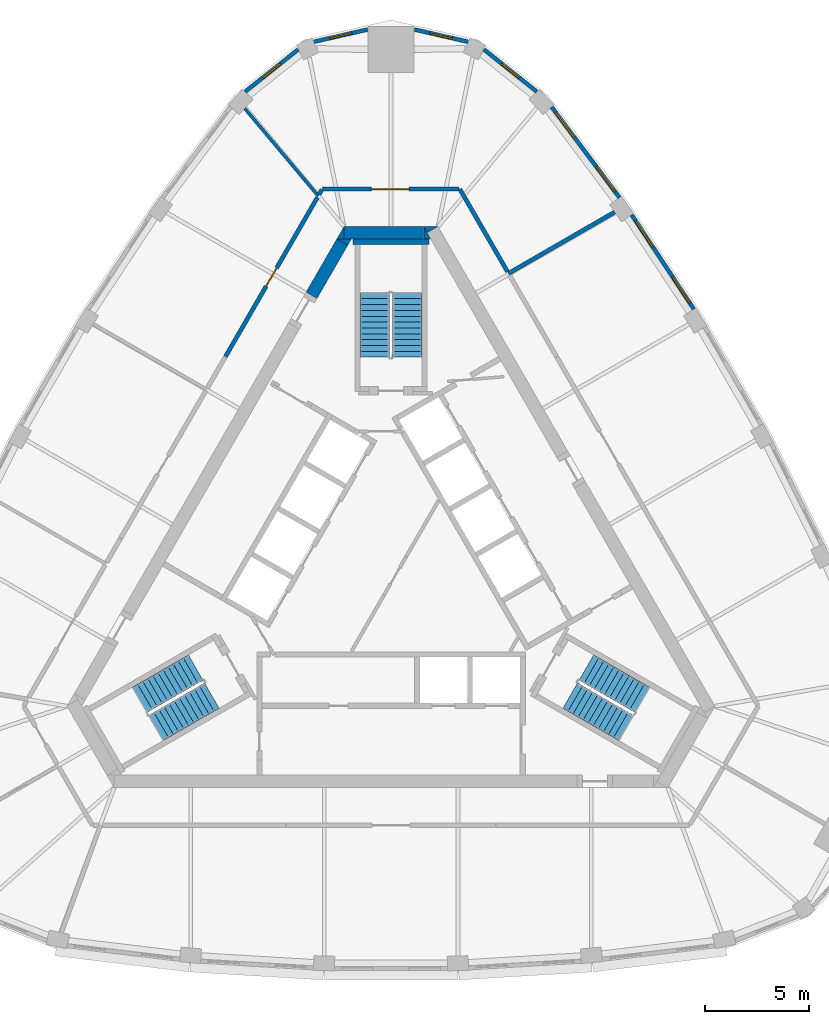
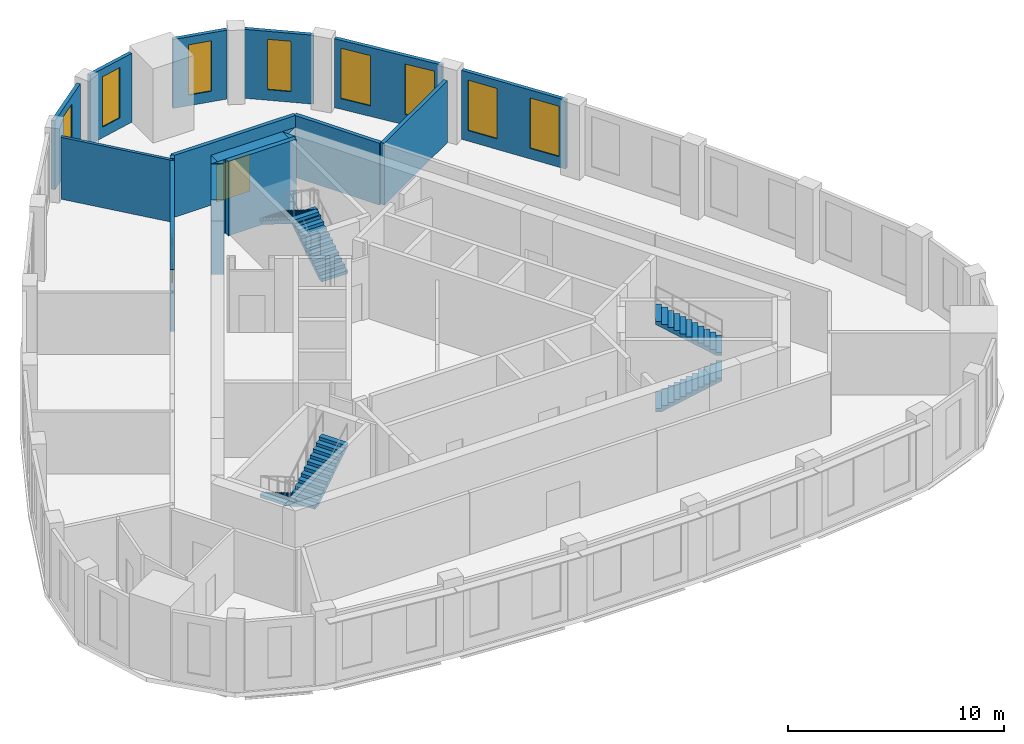
# One storey, part 7 of 8: 19 walls, 8 windows, 6 stair flights, 2 doors, 10 openings, 3 elements without a shape of their own.
"""IFC4 building model written with IfcOpenShell, lengths in metres."""

import ifcopenshell
import ifcopenshell.guid

model = None  # the IFC model being written
_history = None  # IfcOwnerHistory: only IFC2X3 demands one
_inside = {}  # id of a spatial element -> (the spatial element, [elements in it])
_under = {}  # id of a project, library or spatial element -> (it, [spatial elements below it])
_declared = {}  # id of a project -> (the project, [libraries it declares])
_typed = {}  # id of a type object -> (the type object, [elements of that type])
_made_of = {}  # id of a material, layer set ... -> (it, [elements and type objects made of it])


def new_model(schema):
    """Start an empty IFC model of exactly this schema.

    Asked for "IFC4X3", IfcOpenShell would pick the latest addendum, in which some entities
    have other attributes; the version numbers below select the first issue.
    IFC2X3 requires an IfcOwnerHistory on every rooted entity: one is made here for all.
    """
    global model, _history
    if schema == "IFC4X3":
        model = ifcopenshell.file(schema_version=(4, 3, 0, 0))
    else:
        model = ifcopenshell.file(schema=schema)
    _inside.clear()
    _under.clear()
    _declared.clear()
    _typed.clear()
    _made_of.clear()
    _history = None
    if model.schema == "IFC2X3":
        org = make("IfcOrganization", Name="unknown")
        user = make(
            "IfcPersonAndOrganization",
            ThePerson=make("IfcPerson", FamilyName="unknown"),
            TheOrganization=org,
        )
        app = make(
            "IfcApplication",
            ApplicationDeveloper=org,
            Version="unknown",
            ApplicationFullName="unknown",
            ApplicationIdentifier="unknown",
        )
        _history = make(
            "IfcOwnerHistory",
            OwningUser=user,
            OwningApplication=app,
            ChangeAction="ADDED",
            CreationDate=0,
        )
    return model


def make(cls, **values):
    """One entity of the class cls with the attributes given. An attribute that is None is left unset."""
    return model.create_entity(
        cls, **{name: value for name, value in values.items() if value is not None}
    )


def rooted(cls, **values):
    """An entity with a GlobalId (a new one), such as an element, a storey or a relation."""
    return make(cls, GlobalId=ifcopenshell.guid.new(), OwnerHistory=_history, **values)


def si_unit(unit_type, name, prefix=None):
    """IfcSIUnit, for example si_unit("LENGTHUNIT", "METRE", prefix="MILLI")."""
    return make("IfcSIUnit", UnitType=unit_type, Prefix=prefix, Name=name)


def assignment(units):
    """IfcUnitAssignment: the units of a project."""
    return None if units is None else make("IfcUnitAssignment", Units=units)


def point(xyz):
    """IfcCartesianPoint."""
    return None if xyz is None else make("IfcCartesianPoint", Coordinates=xyz)


def direction(xyz):
    """IfcDirection."""
    return None if xyz is None else make("IfcDirection", DirectionRatios=xyz)


def frame(location, z_axis=None, x_axis=None):
    """IfcAxis2Placement3D, a coordinate frame: its origin and axes. An axis left out is left unset."""
    return make(
        "IfcAxis2Placement3D",
        Location=point(location),
        Axis=direction(z_axis),
        RefDirection=direction(x_axis),
    )


def frame_2d(location, x_axis=None):
    """IfcAxis2Placement2D, a coordinate frame in the plane: its origin and x axis."""
    return make(
        "IfcAxis2Placement2D", Location=point(location), RefDirection=direction(x_axis)
    )


def origin():
    """The frame at (0, 0, 0) with its axes left unset."""
    return frame((0.0, 0.0, 0.0))


def place(relative_to, where):
    """IfcLocalPlacement: puts the frame where relative to a parent placement (None: the world)."""
    return make(
        "IfcLocalPlacement", PlacementRelTo=relative_to, RelativePlacement=where
    )


def context(
    kind, dimensions, precision=None, world=None, true_north=None, identifier=None
):
    """IfcGeometricRepresentationContext, for example the 3D "Model" context."""
    return make(
        "IfcGeometricRepresentationContext",
        ContextIdentifier=identifier,
        ContextType=kind,
        CoordinateSpaceDimension=dimensions,
        Precision=precision,
        WorldCoordinateSystem=world,
        TrueNorth=true_north,
    )


def subcontext(parent, identifier, kind, view, scale=None):
    """IfcGeometricRepresentationSubContext, for example "Body" below "Model"."""
    return make(
        "IfcGeometricRepresentationSubContext",
        ContextIdentifier=identifier,
        ContextType=kind,
        ParentContext=parent,
        TargetScale=scale,
        TargetView=view,
    )


def project(units=None, contexts=None):
    """IfcProject with its units and contexts."""
    return rooted(
        "IfcProject",
        Name="project",
        RepresentationContexts=contexts,
        UnitsInContext=assignment(units),
    )


def spatial(cls, under=None, at=None, **own):
    """A site, building, storey or space (cls), placed at a placement, below another one or the project."""
    s = rooted(cls, ObjectPlacement=at, **own)
    if under is not None:
        _under.setdefault(under.id(), (under, []))[1].append(s)
    return s


def polyline(points):
    """IfcPolyline through the points."""
    return make("IfcPolyline", Points=[point(p) for p in points])


def profile(cls, at=None, kind="AREA", **sizes):
    """A parametric profile (cls). Its sizes go by their IFC names, for example OverallWidth=200.0."""
    return make(cls, ProfileType=kind, Position=at, **sizes)


def rectangle(**sizes):
    """IfcRectangleProfileDef."""
    return profile("IfcRectangleProfileDef", **sizes)


def outline(outer, holes=None, kind="AREA"):
    """IfcArbitraryClosedProfileDef: a profile drawn as a closed curve; with holes, ...WithVoids."""
    if holes is None:
        return make("IfcArbitraryClosedProfileDef", ProfileType=kind, OuterCurve=outer)
    return make(
        "IfcArbitraryProfileDefWithVoids",
        ProfileType=kind,
        OuterCurve=outer,
        InnerCurves=holes,
    )


def extrude(swept, where, along, depth):
    """IfcExtrudedAreaSolid: the profile swept, set in the frame where, extruded along a direction by depth."""
    return make(
        "IfcExtrudedAreaSolid",
        SweptArea=swept,
        Position=where,
        ExtrudedDirection=direction(along),
        Depth=depth,
    )


def shape(context_of_items, identifier, shape_type, items):
    """IfcShapeRepresentation: the items that make up one representation, for example the "Body"."""
    return make(
        "IfcShapeRepresentation",
        ContextOfItems=context_of_items,
        RepresentationIdentifier=identifier,
        RepresentationType=shape_type,
        Items=items,
    )


def material(Name=None, Category=None):
    """IfcMaterial."""
    return make("IfcMaterial", Name=Name, Category=Category)


def layer(
    of_material, thickness, ventilated=None, Name=None, Category=None, Priority=None
):
    """IfcMaterialLayer: one layer of a wall or slab, of a material (None: an air gap)."""
    return make(
        "IfcMaterialLayer",
        Material=of_material,
        LayerThickness=thickness,
        IsVentilated=ventilated,
        Name=Name,
        Category=Category,
        Priority=Priority,
    )


def layer_set(layers, Name=None):
    """IfcMaterialLayerSet."""
    return make("IfcMaterialLayerSet", MaterialLayers=layers, LayerSetName=Name)


def made_of(thing, what):
    """Note that an element or type object is made of a material, layer set ...; save() writes the relation."""
    if what is not None:
        _made_of.setdefault(what.id(), (what, []))[1].append(thing)
    return thing


def type_object(cls, material=None, **own):
    """A type object (cls), such as IfcWallType, which elements share."""
    return made_of(rooted(cls, **own), material)


def element(
    cls,
    number,
    at=None,
    inside=None,
    cuts=None,
    type_object=None,
    material=None,
    context=None,
    identifier="Body",
    shape_type=None,
    held_by="IfcProductDefinitionShape",
    body=None,
    shapes=None,
    **own,
):
    """One element of the class cls, such as IfcWall. Its Tag is "e" and its number.

    at: its placement. inside: the storey or other place that contains it. cuts: it is an
    opening in that element (IfcRelVoidsElement). A single representation is given by context,
    identifier, shape_type and body (its items); several are given by shapes. held_by: the class
    of the entity that holds the representations. save() writes the other relations.
    """
    e = rooted(cls, Tag="e%d" % number, ObjectPlacement=at, **own)
    if body is not None:
        shapes = [shape(context, identifier, shape_type, body)]
    if shapes is not None:
        e.Representation = make(held_by, Representations=shapes)
    if inside is not None:
        _inside.setdefault(inside.id(), (inside, []))[1].append(e)
    if cuts is not None:
        rooted(
            "IfcRelVoidsElement", RelatingBuildingElement=cuts, RelatedOpeningElement=e
        )
    if type_object is not None:
        _typed.setdefault(type_object.id(), (type_object, []))[1].append(e)
    return made_of(e, material)


def fill(opening, filler):
    """IfcRelFillsElement: the door or window that sits in an opening."""
    return rooted(
        "IfcRelFillsElement",
        RelatingOpeningElement=opening,
        RelatedBuildingElement=filler,
    )


def aggregate(whole, parts):
    """IfcRelAggregates: a whole, such as a stair, and the parts it consists of."""
    return rooted("IfcRelAggregates", RelatingObject=whole, RelatedObjects=parts)


def save(model, path):
    """Write the relations noted so far, then the file.

    IfcRelAggregates (storeys below a building ...), IfcRelContainedInSpatialStructure (elements
    in a storey), IfcRelDefinesByType, IfcRelAssociatesMaterial and IfcRelDeclares: one each for
    every whole, place, type object, material and project.
    """
    for whole, parts in _under.values():
        aggregate(whole, parts)
    for where, things in _inside.values():
        rooted(
            "IfcRelContainedInSpatialStructure",
            RelatedElements=things,
            RelatingStructure=where,
        )
    for kind, things in _typed.values():
        rooted("IfcRelDefinesByType", RelatedObjects=things, RelatingType=kind)
    for what, things in _made_of.values():
        rooted("IfcRelAssociatesMaterial", RelatedObjects=things, RelatingMaterial=what)
    for by, libraries in _declared.values():
        rooted("IfcRelDeclares", RelatingContext=by, RelatedDefinitions=libraries)
    model.write(path)


model = new_model("IFC4")

# Units and contexts
model_context = context("Model", 3, precision=1e-05, world=origin(), true_north=direction((0.0, 1.0)))
body_context = subcontext(model_context, "Body", "Model", "MODEL_VIEW")
ifc_project = project(units=[si_unit("LENGTHUNIT", "METRE"), si_unit("AREAUNIT", "SQUARE_METRE"), si_unit("VOLUMEUNIT", "CUBIC_METRE"), si_unit("PLANEANGLEUNIT", "RADIAN"), si_unit("MASSUNIT", "GRAM", prefix="KILO")], contexts=[model_context])

# Site, building, storey
site_placement = place(None, origin())
site = spatial("IfcSite", under=ifc_project, at=site_placement, CompositionType="ELEMENT")
building_placement = place(site_placement, origin())
building = spatial("IfcBuilding", under=site, at=building_placement, Name="Mestral Congress Tower", CompositionType="ELEMENT")
storey_placement = place(building_placement, frame((0.0, 0.0, 317.39990234375)))
storey = spatial("IfcBuildingStorey", under=building, at=storey_placement, Name="L74", CompositionType="ELEMENT", Elevation=317.39990234375)

# Walls
ifc_material_1 = material(Name="Concrete C60/75", Category="concrete")
ifc_layer_1 = layer(ifc_material_1, 0.60009765625)
ifc_layer_set_1 = layer_set([ifc_layer_1], Name="Concrete C60/75")
wall_type_1 = type_object("IfcWallType", Name="Core wall RC 600", PredefinedType="SOLIDWALL", material=ifc_layer_set_1)
placement = place(storey_placement, origin())
element("IfcWall", 1, at=placement, inside=storey, type_object=wall_type_1, Name="L74 core wall", PredefinedType="SOLIDWALL", context=body_context, shape_type="SweptSolid", body=[
    extrude(outline(polyline([(1.558837890625, 16.60009765625), (2.23486328125, 16.60009765625), (1.727783203125, 16.307373046875), (1.558837890625, 16.60009765625)])), origin(), (0.0, 0.0, 1.0), 4.2001953125),
])
wall_2_placement = place(storey_placement, frame((-2.258056640625, 16.300048828125, 0.0), z_axis=(0.0, 0.0, 1.0), x_axis=(1.0, 0.0, 0.0)))
element("IfcWall", 2, at=wall_2_placement, inside=storey, type_object=wall_type_1, Name="L74 core wall", PredefinedType="SOLIDWALL", context=body_context, shape_type="SweptSolid", body=[
    extrude(rectangle(XDim=3.8232421875, YDim=0.60009765625, at=frame_2d((1.91162109375, 0.0))), origin(), (0.0, 0.0, 1.0), 4.2001953125),
])
element("IfcWall", 3, at=placement, inside=storey, type_object=wall_type_1, Name="L74 core wall", PredefinedType="SOLIDWALL", context=body_context, shape_type="SweptSolid", body=[
    extrude(outline(polyline([(1.9052734375, 16.0), (1.5673828125, 16.0), (1.5673828125, 16.58544921875), (1.9052734375, 16.0)])), origin(), (0.0, 0.0, 1.0), 4.2001953125),
])
element("IfcWall", 4, at=placement, inside=storey, type_object=wall_type_1, Name="L74 core wall", PredefinedType="SOLIDWALL", context=body_context, shape_type="SweptSolid", body=[
    extrude(outline(polyline([(-2.59814453125, 16.0), (-2.260009765625, 16.58544921875), (-2.260009765625, 16.0), (-2.59814453125, 16.0)])), origin(), (0.0, 0.0, 1.0), 4.2001953125),
])
wall_5_placement = place(storey_placement, frame((-2.335205078125, 15.85546875, 0.0), z_axis=(0.0, 0.0, 1.0), x_axis=(-0.499960127962, -0.866048422692, 0.0)))
element("IfcWall", 5, at=wall_5_placement, inside=storey, type_object=wall_type_1, Name="L74 core wall", PredefinedType="SOLIDWALL", context=body_context, shape_type="SweptSolid", body=[
    extrude(rectangle(XDim=2.934326171875, YDim=0.60009765625, at=frame_2d((1.46728515625, 0.0))), origin(), (0.0, 0.0, 1.0), 4.2001953125),
])
element("IfcWall", 6, at=placement, inside=storey, type_object=wall_type_1, Name="L74 core wall", PredefinedType="SOLIDWALL", context=body_context, shape_type="SweptSolid", body=[
    extrude(outline(polyline([(-1.9052734375, 16.0), (-2.07421875, 15.707275390625), (-2.581298828125, 16.0), (-1.9052734375, 16.0)])), origin(), (0.0, 0.0, 1.0), 4.2001953125),
])

# Wall, openings, windows
ifc_material_2 = material(Name="Precast concrete C40/50 with limestone facing", Category="masonry")
ifc_layer_2 = layer(ifc_material_2, 0.18994140625)
ifc_layer_set_2 = layer_set([ifc_layer_2], Name="Precast concrete C40/50 with limestone facing")
wall_type_2 = type_object("IfcWallType", Name="Facade stone wall 190", PredefinedType="SOLIDWALL", material=ifc_layer_set_2)
wall_7_placement = place(storey_placement, frame((14.49560546875, 12.6533203125, 0.0), z_axis=(0.0, 0.0, 1.0), x_axis=(-0.550744054781, 0.83467417962, 0.0)))
wall_7 = element("IfcWall", 7, at=wall_7_placement, inside=storey, type_object=wall_type_2, Name="Facade wall F1-03", PredefinedType="SOLIDWALL", context=body_context, shape_type="SweptSolid", body=[
    extrude(rectangle(XDim=5.406005859375, YDim=0.18994140625, at=frame_2d((2.703125, 0.0))), origin(), (0.0, 0.0, 1.0), 3.900146484375),
])
opening_1_placement = place(wall_7_placement, frame((0.346435546875, 0.0, 0.60009765625)))
opening_1 = element("IfcOpeningElement", 8, at=opening_1_placement, cuts=wall_7, Name="Opening W6", PredefinedType="OPENING", context=body_context, shape_type="SweptSolid", body=[
    extrude(rectangle(XDim=1.5, YDim=2.85009765625, at=frame_2d((0.75, 1.425048828125))), frame((0.0, 0.10498046875, 0.0), z_axis=(0.0, -1.0, 0.0), x_axis=(1.0, 0.0, 0.0)), (0.0, 0.0, 1.0), 0.2099609375),
])
opening_2_placement = place(wall_7_placement, frame((3.559326171875, 0.0, 0.60009765625)))
opening_2 = element("IfcOpeningElement", 9, at=opening_2_placement, cuts=wall_7, Name="Opening W6", PredefinedType="OPENING", context=body_context, shape_type="SweptSolid", body=[
    extrude(rectangle(XDim=1.5, YDim=2.85009765625, at=frame_2d((0.75, 1.425048828125))), frame((0.0, 0.10498046875, 0.0), z_axis=(0.0, -1.0, 0.0), x_axis=(1.0, 0.0, 0.0)), (0.0, 0.0, 1.0), 0.2099609375),
])
ifc_material_3 = material(Name="Clear low-emissivity double glazing", Category="glass")
window_type_1 = type_object("IfcWindowType", Name="Facade punched window 1500 x 2850 sill 600", PartitioningType="SINGLE_PANEL", PredefinedType="WINDOW", material=ifc_material_3)
window_1_placement = place(opening_1_placement, origin())
window_1 = element("IfcWindow", 10, at=window_1_placement, inside=storey, type_object=window_type_1, Name="Window F1-03a", OverallHeight=2.85009765625, OverallWidth=1.5, PartitioningType="SINGLE_PANEL", PredefinedType="WINDOW", context=body_context, shape_type="SweptSolid", body=[
    extrude(rectangle(XDim=1.5, YDim=2.85009765625, at=frame_2d((0.75, 1.425048828125))), frame((0.0, 0.044921875, 0.0), z_axis=(0.0, -1.0, 0.0), x_axis=(1.0, 0.0, 0.0)), (0.0, 0.0, 1.0), 0.06005859375),
])
fill(opening_1, window_1)
window_2_placement = place(opening_2_placement, origin())
window_2 = element("IfcWindow", 11, at=window_2_placement, inside=storey, type_object=window_type_1, Name="Window F1-03b", OverallHeight=2.85009765625, OverallWidth=1.5, PartitioningType="SINGLE_PANEL", PredefinedType="WINDOW", context=body_context, shape_type="SweptSolid", body=[
    extrude(rectangle(XDim=1.5, YDim=2.85009765625, at=frame_2d((0.75, 1.425048828125))), frame((0.0, 0.044921875, 0.0), z_axis=(0.0, -1.0, 0.0), x_axis=(1.0, 0.0, 0.0)), (0.0, 0.0, 1.0), 0.06005859375),
])
fill(opening_2, window_2)

wall_8_placement = place(storey_placement, frame((10.938232421875, 17.989990234375, 0.0), z_axis=(0.0, 0.0, 1.0), x_axis=(-0.599559865294, 0.800329911929, 0.0)))
wall_8 = element("IfcWall", 12, at=wall_8_placement, inside=storey, type_object=wall_type_2, Name="Facade wall F1-04", PredefinedType="SOLIDWALL", context=body_context, shape_type="SweptSolid", body=[
    extrude(rectangle(XDim=5.4150390625, YDim=0.18994140625, at=frame_2d((2.70751953125, 0.0))), origin(), (0.0, 0.0, 1.0), 3.900146484375),
])
opening_3_placement = place(wall_8_placement, frame((0.357666015625, 0.0, 0.60009765625)))
opening_3 = element("IfcOpeningElement", 13, at=opening_3_placement, cuts=wall_8, Name="Opening W6", PredefinedType="OPENING", context=body_context, shape_type="SweptSolid", body=[
    extrude(rectangle(XDim=1.5, YDim=2.85009765625, at=frame_2d((0.75, 1.425048828125))), frame((0.0, 0.10498046875, 0.0), z_axis=(0.0, -1.0, 0.0), x_axis=(1.0, 0.0, 0.0)), (0.0, 0.0, 1.0), 0.2099609375),
])
opening_4_placement = place(wall_8_placement, frame((3.592529296875, 0.0, 0.60009765625)))
opening_4 = element("IfcOpeningElement", 14, at=opening_4_placement, cuts=wall_8, Name="Opening W6", PredefinedType="OPENING", context=body_context, shape_type="SweptSolid", body=[
    extrude(rectangle(XDim=1.5, YDim=2.85009765625, at=frame_2d((0.75, 1.425048828125))), frame((0.0, 0.10498046875, 0.0), z_axis=(0.0, -1.0, 0.0), x_axis=(1.0, 0.0, 0.0)), (0.0, 0.0, 1.0), 0.2099609375),
])
window_3_placement = place(opening_3_placement, origin())
window_3 = element("IfcWindow", 15, at=window_3_placement, inside=storey, type_object=window_type_1, Name="Window F1-04a", OverallHeight=2.85009765625, OverallWidth=1.5, PartitioningType="SINGLE_PANEL", PredefinedType="WINDOW", context=body_context, shape_type="SweptSolid", body=[
    extrude(rectangle(XDim=1.5, YDim=2.85009765625, at=frame_2d((0.75, 1.425048828125))), frame((0.0, 0.044921875, 0.0), z_axis=(0.0, -1.0, 0.0), x_axis=(1.0, 0.0, 0.0)), (0.0, 0.0, 1.0), 0.06005859375),
])
fill(opening_3, window_3)
window_4_placement = place(opening_4_placement, origin())
window_4 = element("IfcWindow", 16, at=window_4_placement, inside=storey, type_object=window_type_1, Name="Window F1-04b", OverallHeight=2.85009765625, OverallWidth=1.5, PartitioningType="SINGLE_PANEL", PredefinedType="WINDOW", context=body_context, shape_type="SweptSolid", body=[
    extrude(rectangle(XDim=1.5, YDim=2.85009765625, at=frame_2d((0.75, 1.425048828125))), frame((0.0, 0.044921875, 0.0), z_axis=(0.0, -1.0, 0.0), x_axis=(1.0, 0.0, 0.0)), (0.0, 0.0, 1.0), 0.06005859375),
])
fill(opening_4, window_4)

# Wall, opening, window
wall_9_placement = place(storey_placement, frame((6.977294921875, 23.061279296875, 0.0), z_axis=(0.0, 0.0, 1.0), x_axis=(-0.781626234064, 0.623747088349, 0.0)))
wall_9 = element("IfcWall", 17, at=wall_9_placement, inside=storey, type_object=wall_type_2, Name="Facade wall K1-0", PredefinedType="SOLIDWALL", context=body_context, shape_type="SweptSolid", body=[
    extrude(rectangle(XDim=3.236572265625, YDim=0.18994140625, at=frame_2d((1.6181640625, 0.0))), origin(), (0.0, 0.0, 1.0), 3.900146484375),
])
opening_5_placement = place(wall_9_placement, frame((1.068359375, 0.0, 0.60009765625)))
opening_5 = element("IfcOpeningElement", 18, at=opening_5_placement, cuts=wall_9, Name="Opening W7", PredefinedType="OPENING", context=body_context, shape_type="SweptSolid", body=[
    extrude(rectangle(XDim=1.10009765625, YDim=2.85009765625, at=frame_2d((0.550048828125, 1.425048828125))), frame((0.0, 0.10498046875, 0.0), z_axis=(0.0, -1.0, 0.0), x_axis=(1.0, 0.0, 0.0)), (0.0, 0.0, 1.0), 0.2099609375),
])
window_type_2 = type_object("IfcWindowType", Name="Facade punched window 1100 x 2850 sill 600", PartitioningType="SINGLE_PANEL", PredefinedType="WINDOW", material=ifc_material_3)
window_5_placement = place(opening_5_placement, origin())
window_5 = element("IfcWindow", 19, at=window_5_placement, inside=storey, type_object=window_type_2, Name="Window K1-0", OverallHeight=2.85009765625, OverallWidth=1.10009765625, PartitioningType="SINGLE_PANEL", PredefinedType="WINDOW", context=body_context, shape_type="SweptSolid", body=[
    extrude(rectangle(XDim=1.10009765625, YDim=2.85009765625, at=frame_2d((0.550048828125, 1.425048828125))), frame((0.0, 0.044921875, 0.0), z_axis=(0.0, -1.0, 0.0), x_axis=(1.0, 0.0, 0.0)), (0.0, 0.0, 1.0), 0.06005859375),
])
fill(opening_5, window_5)

wall_10_placement = place(storey_placement, frame((3.6826171875, 25.44873046875, 0.0), z_axis=(0.0, 0.0, 1.0), x_axis=(-0.974913273386, 0.222585060988, 0.0)))
wall_10 = element("IfcWall", 20, at=wall_10_placement, inside=storey, type_object=wall_type_2, Name="Facade wall K1-1", PredefinedType="SOLIDWALL", context=body_context, shape_type="SweptSolid", body=[
    extrude(rectangle(XDim=2.626953125, YDim=0.18994140625, at=frame_2d((1.3134765625, 0.0))), origin(), (0.0, 0.0, 1.0), 3.900146484375),
])
opening_6_placement = place(wall_10_placement, frame((0.763427734375, 0.0, 0.60009765625)))
opening_6 = element("IfcOpeningElement", 21, at=opening_6_placement, cuts=wall_10, Name="Opening W7", PredefinedType="OPENING", context=body_context, shape_type="SweptSolid", body=[
    extrude(rectangle(XDim=1.10009765625, YDim=2.85009765625, at=frame_2d((0.550048828125, 1.425048828125))), frame((0.0, 0.10498046875, 0.0), z_axis=(0.0, -1.0, 0.0), x_axis=(1.0, 0.0, 0.0)), (0.0, 0.0, 1.0), 0.2099609375),
])
window_6_placement = place(opening_6_placement, origin())
window_6 = element("IfcWindow", 22, at=window_6_placement, inside=storey, type_object=window_type_2, Name="Window K1-1", OverallHeight=2.85009765625, OverallWidth=1.10009765625, PartitioningType="SINGLE_PANEL", PredefinedType="WINDOW", context=body_context, shape_type="SweptSolid", body=[
    extrude(rectangle(XDim=1.10009765625, YDim=2.85009765625, at=frame_2d((0.550048828125, 1.425048828125))), frame((0.0, 0.044921875, 0.0), z_axis=(0.0, -1.0, 0.0), x_axis=(1.0, 0.0, 0.0)), (0.0, 0.0, 1.0), 0.06005859375),
])
fill(opening_6, window_6)

wall_11_placement = place(storey_placement, frame((-1.12158203125, 26.033447265625, 0.0), z_axis=(0.0, 0.0, 1.0), x_axis=(-0.974913273386, -0.222585060988, 0.0)))
wall_11 = element("IfcWall", 23, at=wall_11_placement, inside=storey, type_object=wall_type_2, Name="Facade wall K1-2", PredefinedType="SOLIDWALL", context=body_context, shape_type="SweptSolid", body=[
    extrude(rectangle(XDim=2.626953125, YDim=0.18994140625, at=frame_2d((1.3134765625, 0.0))), origin(), (0.0, 0.0, 1.0), 3.900146484375),
])
opening_7_placement = place(wall_11_placement, frame((0.763427734375, 0.0, 0.60009765625)))
opening_7 = element("IfcOpeningElement", 24, at=opening_7_placement, cuts=wall_11, Name="Opening W7", PredefinedType="OPENING", context=body_context, shape_type="SweptSolid", body=[
    extrude(rectangle(XDim=1.10009765625, YDim=2.85009765625, at=frame_2d((0.550048828125, 1.425048828125))), frame((0.0, 0.10498046875, 0.0), z_axis=(0.0, -1.0, 0.0), x_axis=(1.0, 0.0, 0.0)), (0.0, 0.0, 1.0), 0.2099609375),
])
window_7_placement = place(opening_7_placement, origin())
window_7 = element("IfcWindow", 25, at=window_7_placement, inside=storey, type_object=window_type_2, Name="Window K1-2", OverallHeight=2.85009765625, OverallWidth=1.10009765625, PartitioningType="SINGLE_PANEL", PredefinedType="WINDOW", context=body_context, shape_type="SweptSolid", body=[
    extrude(rectangle(XDim=1.10009765625, YDim=2.85009765625, at=frame_2d((0.550048828125, 1.425048828125))), frame((0.0, 0.044921875, 0.0), z_axis=(0.0, -1.0, 0.0), x_axis=(1.0, 0.0, 0.0)), (0.0, 0.0, 1.0), 0.06005859375),
])
fill(opening_7, window_7)

wall_12_placement = place(storey_placement, frame((-4.447509765625, 25.080078125, 0.0), z_axis=(0.0, 0.0, 1.0), x_axis=(-0.781626234064, -0.623747088349, 0.0)))
wall_12 = element("IfcWall", 26, at=wall_12_placement, inside=storey, type_object=wall_type_2, Name="Facade wall K1-3", PredefinedType="SOLIDWALL", context=body_context, shape_type="SweptSolid", body=[
    extrude(rectangle(XDim=3.236572265625, YDim=0.18994140625, at=frame_2d((1.6181640625, 0.0))), origin(), (0.0, 0.0, 1.0), 3.900146484375),
])
opening_8_placement = place(wall_12_placement, frame((1.068359375, 0.0, 0.60009765625)))
opening_8 = element("IfcOpeningElement", 27, at=opening_8_placement, cuts=wall_12, Name="Opening W7", PredefinedType="OPENING", context=body_context, shape_type="SweptSolid", body=[
    extrude(rectangle(XDim=1.10009765625, YDim=2.85009765625, at=frame_2d((0.550048828125, 1.425048828125))), frame((0.0, 0.10498046875, 0.0), z_axis=(0.0, -1.0, 0.0), x_axis=(1.0, 0.0, 0.0)), (0.0, 0.0, 1.0), 0.2099609375),
])
window_8_placement = place(opening_8_placement, origin())
window_8 = element("IfcWindow", 28, at=window_8_placement, inside=storey, type_object=window_type_2, Name="Window K1-3", OverallHeight=2.85009765625, OverallWidth=1.10009765625, PartitioningType="SINGLE_PANEL", PredefinedType="WINDOW", context=body_context, shape_type="SweptSolid", body=[
    extrude(rectangle(XDim=1.10009765625, YDim=2.85009765625, at=frame_2d((0.550048828125, 1.425048828125))), frame((0.0, 0.044921875, 0.0), z_axis=(0.0, -1.0, 0.0), x_axis=(1.0, 0.0, 0.0)), (0.0, 0.0, 1.0), 0.06005859375),
])
fill(opening_8, window_8)

# Walls
ifc_material_4 = material(Name="Plasterboard partition on steel studs", Category="steel")
ifc_layer_3 = layer(ifc_material_4, 0.14990234375)
ifc_layer_set_3 = layer_set([ifc_layer_3], Name="Plasterboard partition on steel studs")
wall_type_3 = type_object("IfcWallType", Name="Office partition 150", PredefinedType="PARTITIONING", material=ifc_layer_set_3)
wall_13_placement = place(storey_placement, frame((-3.483154296875, 18.06689453125, 0.0), z_axis=(0.0, 0.0, 1.0), x_axis=(-0.642968046165, 0.765893002717, 0.0)))
element("IfcWall", 29, at=wall_13_placement, inside=storey, type_object=wall_type_3, Name="Partition", PredefinedType="PARTITIONING", context=body_context, shape_type="SweptSolid", body=[
    extrude(rectangle(XDim=5.4697265625, YDim=0.14990234375, at=frame_2d((2.73486328125, 0.0))), origin(), (0.0, 0.0, 1.0), 3.5),
])
ifc_material_5 = material(Name="Dense masonry wall, plastered", Category="masonry")
ifc_layer_4 = layer(ifc_material_5, 0.199951171875)
ifc_layer_set_4 = layer_set([ifc_layer_4], Name="Dense masonry wall, plastered")
wall_type_4 = type_object("IfcWallType", Name="Office tenancy wall 200", PredefinedType="PARTITIONING", material=ifc_layer_set_4)
wall_14_placement = place(storey_placement, frame((5.621826171875, 14.362548828125, 0.0), z_axis=(0.0, 0.0, 1.0), x_axis=(0.866030409726, 0.499991329354, 0.0)))
element("IfcWall", 30, at=wall_14_placement, inside=storey, type_object=wall_type_4, Name="Tenancy wall", PredefinedType="PARTITIONING", context=body_context, shape_type="SweptSolid", body=[
    extrude(rectangle(XDim=5.86865234375, YDim=0.199951171875, at=frame_2d((2.934326171875, 0.0))), origin(), (0.0, 0.0, 1.0), 3.5),
])
wall_15_placement = place(storey_placement, frame((5.572021484375, 14.44921875, 0.0), z_axis=(0.0, 0.0, 1.0), x_axis=(-0.500012761589, 0.866018035752, 0.0)))
element("IfcWall", 31, at=wall_15_placement, inside=storey, type_object=wall_type_4, Name="Tenancy wall", PredefinedType="PARTITIONING", context=body_context, shape_type="SweptSolid", body=[
    extrude(rectangle(XDim=4.56201171875, YDim=0.199951171875, at=frame_2d((2.281005859375, 0.0))), origin(), (0.0, 0.0, 1.0), 3.5),
])

# Wall, opening, door
wall_16_placement = place(storey_placement, frame((3.260986328125, 18.39990234375, 0.0), z_axis=(0.0, 0.0, 1.0), x_axis=(-1.0, 0.0, 0.0)))
wall_16 = element("IfcWall", 32, at=wall_16_placement, inside=storey, type_object=wall_type_4, Name="Tenancy wall", PredefinedType="PARTITIONING", context=body_context, shape_type="SweptSolid", body=[
    extrude(rectangle(XDim=6.552001953125, YDim=0.199951171875, at=frame_2d((3.27587890625, 0.0))), origin(), (0.0, 0.0, 1.0), 3.5),
])
opening_9_placement = place(wall_16_placement, frame((2.39990234375, 0.0, 0.0)))
opening_9 = element("IfcOpeningElement", 33, at=opening_9_placement, cuts=wall_16, Name="Opening O15-003", PredefinedType="OPENING", context=body_context, shape_type="SweptSolid", body=[
    extrude(rectangle(XDim=1.800048828125, YDim=2.10009765625, at=frame_2d((0.89990234375, 1.050048828125))), frame((0.0, 0.10986328125, 0.0), z_axis=(0.0, -1.0, 0.0), x_axis=(1.0, 0.0, 0.0)), (0.0, 0.0, 1.0), 0.219970703125),
])
ifc_material_6 = material(Name="Fire-rated timber door set", Category="wood")
door_type_1 = type_object("IfcDoorType", Name="Office assembly double door 1800x2100", OperationType="DOUBLE_DOOR_SINGLE_SWING", PredefinedType="DOOR", material=ifc_material_6)
door_1_placement = place(opening_9_placement, origin())
door_1 = element("IfcDoor", 34, at=door_1_placement, inside=storey, type_object=door_type_1, Name="Door O15-003", OperationType="DOUBLE_DOOR_SINGLE_SWING", OverallHeight=2.10009765625, OverallWidth=1.800048828125, PredefinedType="DOOR", context=body_context, shape_type="SweptSolid", body=[
    extrude(rectangle(XDim=1.800048828125, YDim=2.10009765625, at=frame_2d((0.89990234375, 1.050048828125))), frame((0.0, 0.02490234375, 0.0), z_axis=(0.0, -1.0, 0.0), x_axis=(1.0, 0.0, 0.0)), (0.0, 0.0, 1.0), 0.050048828125),
])
fill(opening_9, door_1)

# Wall
wall_17_placement = place(storey_placement, frame((-3.305908203125, 18.3740234375, 0.0), z_axis=(0.0, 0.0, 1.0), x_axis=(-0.500055614084, -0.865993292597, 0.0)))
element("IfcWall", 35, at=wall_17_placement, inside=storey, type_object=wall_type_4, Name="Tenancy wall", PredefinedType="PARTITIONING", context=body_context, shape_type="SweptSolid", body=[
    extrude(rectangle(XDim=0.27490234375, YDim=0.199951171875, at=frame_2d((0.137451171875, 0.0))), origin(), (0.0, 0.0, 1.0), 3.5),
])

# Wall, opening, door
wall_18_placement = place(storey_placement, frame((-3.523193359375, 17.997802734375, 0.0), z_axis=(0.0, 0.0, 1.0), x_axis=(-0.499996383721, -0.866027491634, 0.0)))
wall_18 = element("IfcWall", 36, at=wall_18_placement, inside=storey, type_object=wall_type_4, Name="Tenancy wall", PredefinedType="PARTITIONING", context=body_context, shape_type="SweptSolid", body=[
    extrude(rectangle(XDim=8.794921875, YDim=0.199951171875, at=frame_2d((4.3974609375, 0.0))), origin(), (0.0, 0.0, 1.0), 3.5),
])
opening_10_placement = place(wall_18_placement, frame((3.89990234375, 0.0, 0.0)))
opening_10 = element("IfcOpeningElement", 37, at=opening_10_placement, cuts=wall_18, Name="Opening O15-004", PredefinedType="OPENING", context=body_context, shape_type="SweptSolid", body=[
    extrude(rectangle(XDim=1.0, YDim=2.10009765625, at=frame_2d((0.5, 1.050048828125))), frame((0.0, 0.10986328125, 0.0), z_axis=(0.0, -1.0, 0.0), x_axis=(1.0, 0.0, 0.0)), (0.0, 0.0, 1.0), 0.219970703125),
])
door_type_2 = type_object("IfcDoorType", Name="Office tenancy entrance door 1000x2100", OperationType="SINGLE_SWING_LEFT", PredefinedType="DOOR", material=ifc_material_6)
door_2_placement = place(opening_10_placement, origin())
door_2 = element("IfcDoor", 38, at=door_2_placement, inside=storey, type_object=door_type_2, Name="Door O15-004", OperationType="SINGLE_SWING_RIGHT", OverallHeight=2.10009765625, OverallWidth=1.0, PredefinedType="DOOR", context=body_context, shape_type="SweptSolid", body=[
    extrude(rectangle(XDim=1.0, YDim=2.10009765625, at=frame_2d((0.5, 1.050048828125))), frame((0.0, 0.02490234375, 0.0), z_axis=(0.0, -1.0, 0.0), x_axis=(1.0, 0.0, 0.0)), (0.0, 0.0, 1.0), 0.050048828125),
])
fill(opening_10, door_2)

# Wall
ifc_layer_5 = layer(ifc_material_1, 0.25)
ifc_layer_set_5 = layer_set([ifc_layer_5], Name="Concrete C60/75")
wall_type_5 = type_object("IfcWallType", Name="Stair wall RC 250", PredefinedType="SOLIDWALL", material=ifc_layer_set_5)
wall_19_placement = place(storey_placement, frame((-1.81689453125, 15.875, 0.0), z_axis=(0.0, 0.0, 1.0), x_axis=(1.0, 0.0, 0.0)))
element("IfcWall", 39, at=wall_19_placement, inside=storey, type_object=wall_type_5, Name="L74 core wall", PredefinedType="SOLIDWALL", context=body_context, shape_type="SweptSolid", body=[
    extrude(rectangle(XDim=3.6337890625, YDim=0.25, at=frame_2d((1.81689453125, 0.0))), origin(), (0.0, 0.0, 1.0), 4.2001953125),
])

# Stair, stair flights
stair_type = type_object("IfcStairType", Name="Exit stair 1400", PredefinedType="HALF_TURN_STAIR", material=ifc_material_1)
stair_1 = element("IfcStair", 40, at=placement, inside=storey, type_object=stair_type, Name="L74 ST1", PredefinedType="HALF_TURN_STAIR")
stair_flight_type = type_object("IfcStairFlightType", Name="Exit stair flight 1400", PredefinedType="STRAIGHT", material=ifc_material_1)
stair_flight_1_placement = place(storey_placement, frame((8.575927734375, -5.84619140625, 0.0), z_axis=(0.0, 0.0, 1.0), x_axis=(0.866025403784, -0.5, 0.0)))
stair_flight_1 = element("IfcStairFlight", 41, at=stair_flight_1_placement, type_object=stair_flight_type, Name="ST1 flight 1", NumberOfRisers=12, NumberOfTreads=11, PredefinedType="STRAIGHT", RiserHeight=0.175, TreadLength=0.28, context=body_context, shape_type="SweptSolid", body=[
    extrude(outline(polyline([(0.0, 0.0), (0.0, 0.175048828125), (0.280029296875, 0.175048828125), (0.280029296875, 0.35009765625), (0.56005859375, 0.35009765625), (0.56005859375, 0.52490234375), (0.840087890625, 0.52490234375), (0.840087890625, 0.699951171875), (1.1201171875, 0.699951171875), (1.1201171875, 0.875), (1.39990234375, 0.875), (1.39990234375, 1.050048828125), (1.679931640625, 1.050048828125), (1.679931640625, 1.22509765625), (1.9599609375, 1.22509765625), (1.9599609375, 1.39990234375), (2.239990234375, 1.39990234375), (2.239990234375, 1.574951171875), (2.52001953125, 1.574951171875), (2.52001953125, 1.75), (2.800048828125, 1.75), (2.800048828125, 1.925048828125), (3.080078125, 1.925048828125), (3.080078125, 2.10009765625), (3.080078125, 1.748291015625), (0.28271484375, 0.0), (0.0, 0.0)])), frame((0.0, 0.699951171875, 0.0), z_axis=(0.0, -1.0, 0.0), x_axis=(1.0, 0.0, 0.0)), (0.0, 0.0, 1.0), 1.39990234375),
])
stair_flight_2_placement = place(storey_placement, frame((12.018310546875, -6.0439453125, 2.10009765625), z_axis=(0.0, 0.0, 1.0), x_axis=(-0.866025403784, 0.5, 0.0)))
stair_flight_2 = element("IfcStairFlight", 42, at=stair_flight_2_placement, type_object=stair_flight_type, Name="ST1 flight 2", NumberOfRisers=12, NumberOfTreads=11, PredefinedType="STRAIGHT", RiserHeight=0.175, TreadLength=0.28, context=body_context, shape_type="SweptSolid", body=[
    extrude(outline(polyline([(0.0, 0.0), (0.0, 0.175048828125), (0.280029296875, 0.175048828125), (0.280029296875, 0.35009765625), (0.56005859375, 0.35009765625), (0.56005859375, 0.52490234375), (0.840087890625, 0.52490234375), (0.840087890625, 0.699951171875), (1.1201171875, 0.699951171875), (1.1201171875, 0.875), (1.39990234375, 0.875), (1.39990234375, 1.050048828125), (1.679931640625, 1.050048828125), (1.679931640625, 1.22509765625), (1.9599609375, 1.22509765625), (1.9599609375, 1.39990234375), (2.239990234375, 1.39990234375), (2.239990234375, 1.574951171875), (2.52001953125, 1.574951171875), (2.52001953125, 1.75), (2.800048828125, 1.75), (2.800048828125, 1.925048828125), (3.080078125, 1.925048828125), (3.080078125, 2.10009765625), (3.080078125, 1.748291015625), (0.28271484375, 0.0), (0.0, 0.0)])), frame((0.0, 0.699951171875, 0.0), z_axis=(0.0, -1.0, 0.0), x_axis=(1.0, 0.0, 0.0)), (0.0, 0.0, 1.0), 1.39990234375),
])
aggregate(stair_1, [stair_flight_1, stair_flight_2])

stair_2 = element("IfcStair", 43, at=placement, inside=storey, type_object=stair_type, Name="L74 ST2", PredefinedType="HALF_TURN_STAIR")
stair_flight_3_placement = place(storey_placement, frame((0.77490234375, 10.35009765625, 0.0), z_axis=(0.0, 0.0, 1.0), x_axis=(0.0, 1.0, 0.0)))
stair_flight_3 = element("IfcStairFlight", 44, at=stair_flight_3_placement, type_object=stair_flight_type, Name="ST2 flight 1", NumberOfRisers=12, NumberOfTreads=11, PredefinedType="STRAIGHT", RiserHeight=0.175, TreadLength=0.28, context=body_context, shape_type="SweptSolid", body=[
    extrude(outline(polyline([(0.0, 0.0), (0.0, 0.175048828125), (0.280029296875, 0.175048828125), (0.280029296875, 0.35009765625), (0.56005859375, 0.35009765625), (0.56005859375, 0.52490234375), (0.840087890625, 0.52490234375), (0.840087890625, 0.699951171875), (1.1201171875, 0.699951171875), (1.1201171875, 0.875), (1.39990234375, 0.875), (1.39990234375, 1.050048828125), (1.679931640625, 1.050048828125), (1.679931640625, 1.22509765625), (1.9599609375, 1.22509765625), (1.9599609375, 1.39990234375), (2.239990234375, 1.39990234375), (2.239990234375, 1.574951171875), (2.52001953125, 1.574951171875), (2.52001953125, 1.75), (2.800048828125, 1.75), (2.800048828125, 1.925048828125), (3.080078125, 1.925048828125), (3.080078125, 2.10009765625), (3.080078125, 1.748291015625), (0.28271484375, 0.0), (0.0, 0.0)])), frame((0.0, 0.699951171875, 0.0), z_axis=(0.0, -1.0, 0.0), x_axis=(1.0, 0.0, 0.0)), (0.0, 0.0, 1.0), 1.39990234375),
])
stair_flight_4_placement = place(storey_placement, frame((-0.77490234375, 13.429931640625, 2.10009765625), z_axis=(0.0, 0.0, 1.0), x_axis=(0.0, -1.0, 0.0)))
stair_flight_4 = element("IfcStairFlight", 45, at=stair_flight_4_placement, type_object=stair_flight_type, Name="ST2 flight 2", NumberOfRisers=12, NumberOfTreads=11, PredefinedType="STRAIGHT", RiserHeight=0.175, TreadLength=0.28, context=body_context, shape_type="SweptSolid", body=[
    extrude(outline(polyline([(0.0, 0.0), (0.0, 0.175048828125), (0.280029296875, 0.175048828125), (0.280029296875, 0.35009765625), (0.56005859375, 0.35009765625), (0.56005859375, 0.52490234375), (0.840087890625, 0.52490234375), (0.840087890625, 0.699951171875), (1.1201171875, 0.699951171875), (1.1201171875, 0.875), (1.39990234375, 0.875), (1.39990234375, 1.050048828125), (1.679931640625, 1.050048828125), (1.679931640625, 1.22509765625), (1.9599609375, 1.22509765625), (1.9599609375, 1.39990234375), (2.239990234375, 1.39990234375), (2.239990234375, 1.574951171875), (2.52001953125, 1.574951171875), (2.52001953125, 1.75), (2.800048828125, 1.75), (2.800048828125, 1.925048828125), (3.080078125, 1.925048828125), (3.080078125, 2.10009765625), (3.080078125, 1.748291015625), (0.28271484375, 0.0), (0.0, 0.0)])), frame((0.0, 0.699951171875, 0.0), z_axis=(0.0, -1.0, 0.0), x_axis=(1.0, 0.0, 0.0)), (0.0, 0.0, 1.0), 1.39990234375),
])
aggregate(stair_2, [stair_flight_3, stair_flight_4])

stair_3 = element("IfcStair", 46, at=placement, inside=storey, type_object=stair_type, Name="L74 ST3", PredefinedType="HALF_TURN_STAIR")
stair_flight_5_placement = place(storey_placement, frame((-9.350830078125, -4.50390625, 0.0), z_axis=(0.0, 0.0, 1.0), x_axis=(-0.866025403784, -0.5, 0.0)))
stair_flight_5 = element("IfcStairFlight", 47, at=stair_flight_5_placement, type_object=stair_flight_type, Name="ST3 flight 1", NumberOfRisers=12, NumberOfTreads=11, PredefinedType="STRAIGHT", RiserHeight=0.175, TreadLength=0.28, context=body_context, shape_type="SweptSolid", body=[
    extrude(outline(polyline([(0.0, 0.0), (0.0, 0.175048828125), (0.280029296875, 0.175048828125), (0.280029296875, 0.35009765625), (0.56005859375, 0.35009765625), (0.56005859375, 0.52490234375), (0.840087890625, 0.52490234375), (0.840087890625, 0.699951171875), (1.1201171875, 0.699951171875), (1.1201171875, 0.875), (1.39990234375, 0.875), (1.39990234375, 1.050048828125), (1.679931640625, 1.050048828125), (1.679931640625, 1.22509765625), (1.9599609375, 1.22509765625), (1.9599609375, 1.39990234375), (2.239990234375, 1.39990234375), (2.239990234375, 1.574951171875), (2.52001953125, 1.574951171875), (2.52001953125, 1.75), (2.800048828125, 1.75), (2.800048828125, 1.925048828125), (3.080078125, 1.925048828125), (3.080078125, 2.10009765625), (3.080078125, 1.748291015625), (0.28271484375, 0.0), (0.0, 0.0)])), frame((0.0, 0.699951171875, 0.0), z_axis=(0.0, -1.0, 0.0), x_axis=(1.0, 0.0, 0.0)), (0.0, 0.0, 1.0), 1.39990234375),
])
stair_flight_6_placement = place(storey_placement, frame((-11.2431640625, -7.38623046875, 2.10009765625), z_axis=(0.0, 0.0, 1.0), x_axis=(0.866025403784, 0.5, 0.0)))
stair_flight_6 = element("IfcStairFlight", 48, at=stair_flight_6_placement, type_object=stair_flight_type, Name="ST3 flight 2", NumberOfRisers=12, NumberOfTreads=11, PredefinedType="STRAIGHT", RiserHeight=0.175, TreadLength=0.28, context=body_context, shape_type="SweptSolid", body=[
    extrude(outline(polyline([(0.0, 0.0), (0.0, 0.175048828125), (0.280029296875, 0.175048828125), (0.280029296875, 0.35009765625), (0.56005859375, 0.35009765625), (0.56005859375, 0.52490234375), (0.840087890625, 0.52490234375), (0.840087890625, 0.699951171875), (1.1201171875, 0.699951171875), (1.1201171875, 0.875), (1.39990234375, 0.875), (1.39990234375, 1.050048828125), (1.679931640625, 1.050048828125), (1.679931640625, 1.22509765625), (1.9599609375, 1.22509765625), (1.9599609375, 1.39990234375), (2.239990234375, 1.39990234375), (2.239990234375, 1.574951171875), (2.52001953125, 1.574951171875), (2.52001953125, 1.75), (2.800048828125, 1.75), (2.800048828125, 1.925048828125), (3.080078125, 1.925048828125), (3.080078125, 2.10009765625), (3.080078125, 1.748291015625), (0.28271484375, 0.0), (0.0, 0.0)])), frame((0.0, 0.699951171875, 0.0), z_axis=(0.0, -1.0, 0.0), x_axis=(1.0, 0.0, 0.0)), (0.0, 0.0, 1.0), 1.39990234375),
])
aggregate(stair_3, [stair_flight_5, stair_flight_6])

save(model, "model.ifc")
